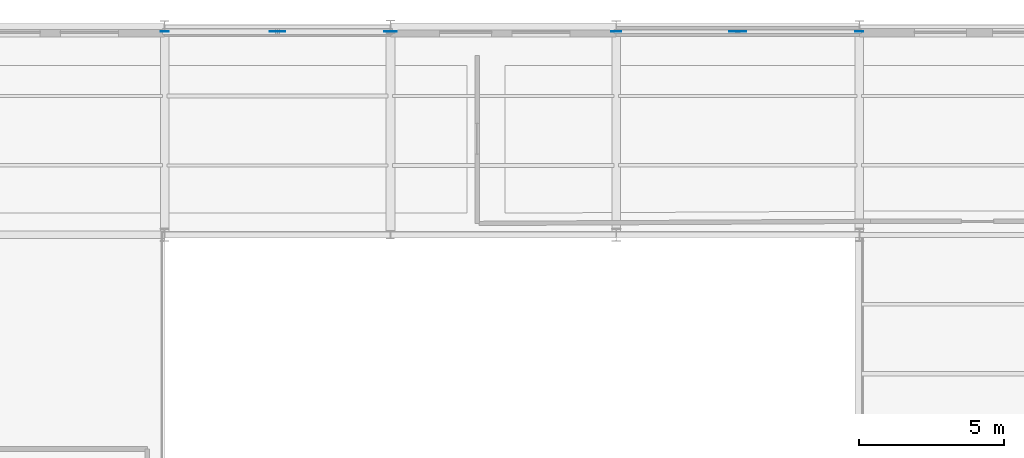
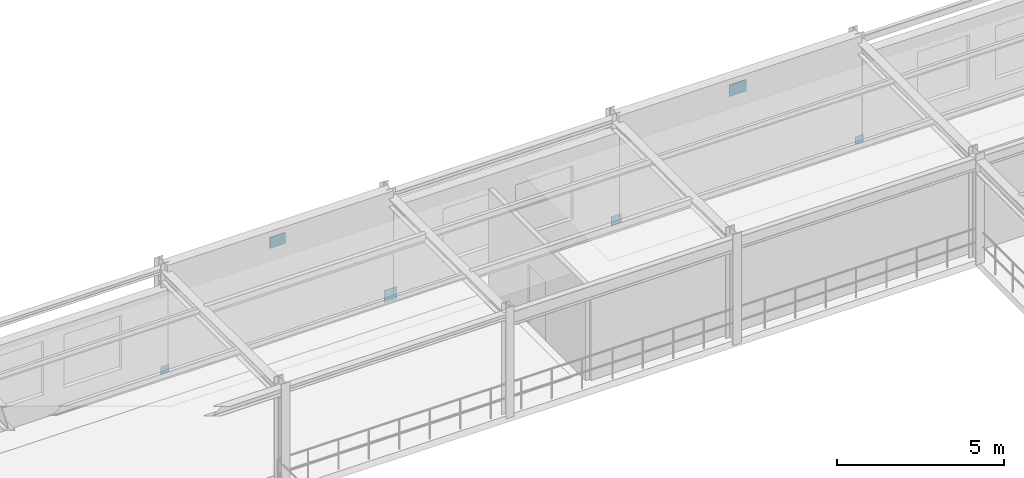
# One storey, part 52 of 70: 6 plates.
"""IFC4 building model written with IfcOpenShell, lengths in metres."""

from ifc_helpers import new_model, si_unit, derived_unit, direction, frame, origin, origin_2d, place, context, subcontext, project, spatial, rectangle, extrude, material, layer, layer_set, type_object, element, save


model = new_model("IFC4")

# Units and contexts
model_context = context("Model", 3, precision=1e-05, world=origin(), true_north=direction((0.0, 1.0)))
body_context = subcontext(model_context, "Body", "Model", "MODEL_VIEW")
ifc_project = project(units=[si_unit("LENGTHUNIT", "METRE"), si_unit("AREAUNIT", "SQUARE_METRE"), si_unit("VOLUMEUNIT", "CUBIC_METRE"), si_unit("PLANEANGLEUNIT", "RADIAN"), si_unit("MASSUNIT", "GRAM", prefix="KILO"), derived_unit("THERMALTRANSMITTANCEUNIT", [(si_unit("POWERUNIT", "WATT"), 1), (si_unit("AREAUNIT", "SQUARE_METRE"), -1), (si_unit("THERMODYNAMICTEMPERATUREUNIT", "KELVIN"), -1)])], contexts=[model_context])

# Site, building, storey
site_placement = place(None, origin())
site = spatial("IfcSite", under=ifc_project, at=site_placement, CompositionType="ELEMENT")
building_placement = place(site_placement, origin())
building = spatial("IfcBuilding", under=site, at=building_placement, Name="Yasenodar Specialist Clinic", CompositionType="ELEMENT")
storey_placement = place(building_placement, frame((0.0, 0.0, 13.199951171875)))
storey = spatial("IfcBuildingStorey", under=building, at=storey_placement, Name="L03", CompositionType="ELEMENT", Elevation=13.199951171875)

# Plates
ifc_material = material(Name="Steel S355", Category="steel")
ifc_layer_1 = layer(ifc_material, 0.02392578125)
ifc_layer_set_1 = layer_set([ifc_layer_1], Name="Steel S355")
plate_type_1 = type_object("IfcPlateType", Name="PL-STEEL-01", PredefinedType="SHEET", material=ifc_layer_set_1)
plate_1_placement = place(storey_placement, frame((88.800048828125, 111.425048828125, -0.06982421875), z_axis=(0.0, 0.0, 1.0), x_axis=(1.0, 0.0, 0.0)))
element("IfcPlate", 1, at=plate_1_placement, inside=storey, type_object=plate_type_1, Name="L03 Hollow Section End-Cap Plate 0020", PredefinedType="SHEET", context=body_context, shape_type="SweptSolid", body=[
    extrude(rectangle(XDim=0.43994140625, YDim=0.02392578125, at=origin_2d()), origin(), (0.0, 0.0, 1.0), 0.43994140625),
])
ifc_layer_2 = layer(ifc_material, 0.02001953125)
ifc_layer_set_2 = layer_set([ifc_layer_2], Name="Steel S355")
plate_type_2 = type_object("IfcPlateType", Name="PL-STEEL-03", PredefinedType="SHEET", material=ifc_layer_set_2)
plate_2_placement = place(storey_placement, frame((96.60009765625, 111.425048828125, -0.02001953125), z_axis=(0.0, 0.0, 1.0), x_axis=(1.0, 0.0, 0.0)))
element("IfcPlate", 2, at=plate_2_placement, inside=storey, type_object=plate_type_2, Name="L03 Hollow Section End-Cap Plate 0040", PredefinedType="SHEET", context=body_context, shape_type="SweptSolid", body=[
    extrude(rectangle(XDim=0.340087890625, YDim=0.02001953125, at=origin_2d()), origin(), (0.0, 0.0, 1.0), 0.340087890625),
])
ifc_layer_3 = layer(ifc_material, 0.01806640625)
ifc_layer_set_3 = layer_set([ifc_layer_3], Name="Steel S355")
plate_type_3 = type_object("IfcPlateType", Name="PL-STEEL-04", PredefinedType="SHEET", material=ifc_layer_set_3)
for number, where, z_axis, x_axis, name in (
    (3, (81.0, 111.425048828125, 0.01025390625), (0.0, 0.0, 1.0), (1.0, 0.0, 0.0), "L03 Hollow Section End-Cap Plate 0019"),
    (4, (105.0, 111.425048828125, 0.01025390625), (0.0, 0.0, 1.0), (1.0, 0.0, 0.0), "L03 Hollow Section End-Cap Plate 0041"),
):
    element("IfcPlate", number, at=place(storey_placement, frame(where, z_axis=z_axis, x_axis=x_axis)), inside=storey, type_object=plate_type_3, Name=name, PredefinedType="SHEET", context=body_context, shape_type="SweptSolid", body=[
        extrude(rectangle(XDim=0.280029296875, YDim=0.01806640625, at=origin_2d()), origin(), (0.0, 0.0, 1.0), 0.280029296875),
    ])
ifc_layer_4 = layer(ifc_material, 0.02490234375)
ifc_layer_set_4 = layer_set([ifc_layer_4], Name="Steel S355")
plate_type_4 = type_object("IfcPlateType", Name="PL-STEEL-07", PredefinedType="USERDEFINED", material=ifc_layer_set_4)
plate_3_placement = place(storey_placement, frame((100.800048828125, 111.425048828125, 3.2900390625), z_axis=(0.0, 0.0, 1.0), x_axis=(1.0, 0.0, 0.0)))
element("IfcPlate", 5, at=plate_3_placement, inside=storey, type_object=plate_type_4, Name="L03 Hollow Section End-Cap Plate 0042", ObjectType="GUSSET_PLATE", PredefinedType="USERDEFINED", context=body_context, shape_type="SweptSolid", body=[
    extrude(rectangle(XDim=0.60009765625, YDim=0.02490234375, at=origin_2d()), origin(), (0.0, 0.0, 1.0), 0.419921875),
])
ifc_layer_5 = layer(ifc_material, 0.02001953125)
ifc_layer_set_5 = layer_set([ifc_layer_5], Name="Steel S355")
plate_type_5 = type_object("IfcPlateType", Name="PL-STEEL-08", PredefinedType="USERDEFINED", material=ifc_layer_set_5)
plate_4_placement = place(storey_placement, frame((84.89990234375, 111.425048828125, 3.300048828125), z_axis=(0.0, 0.0, 1.0), x_axis=(1.0, 0.0, 0.0)))
element("IfcPlate", 6, at=plate_4_placement, inside=storey, type_object=plate_type_5, Name="L03 Hollow Section End-Cap Plate 0021", ObjectType="GUSSET_PLATE", PredefinedType="USERDEFINED", context=body_context, shape_type="SweptSolid", body=[
    extrude(rectangle(XDim=0.5400390625, YDim=0.02001953125, at=origin_2d()), origin(), (0.0, 0.0, 1.0), 0.39990234375),
])

save(model, "model.ifc")
